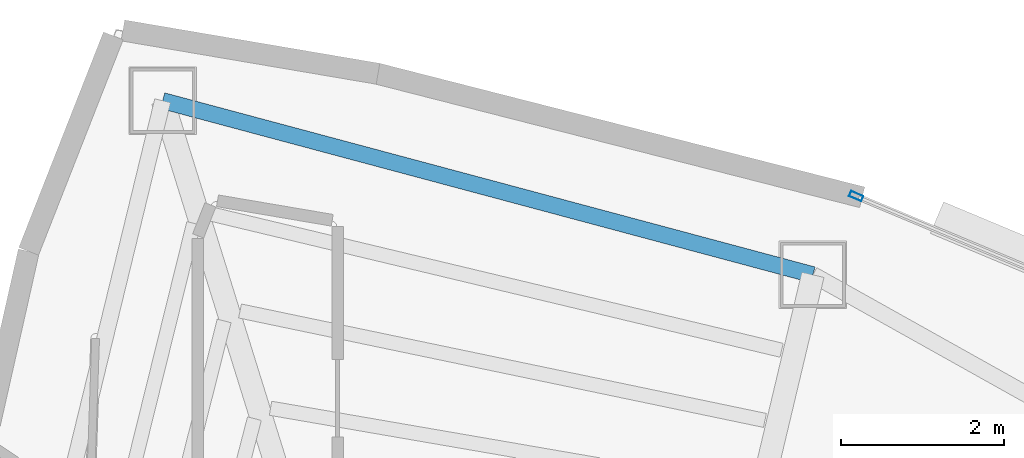
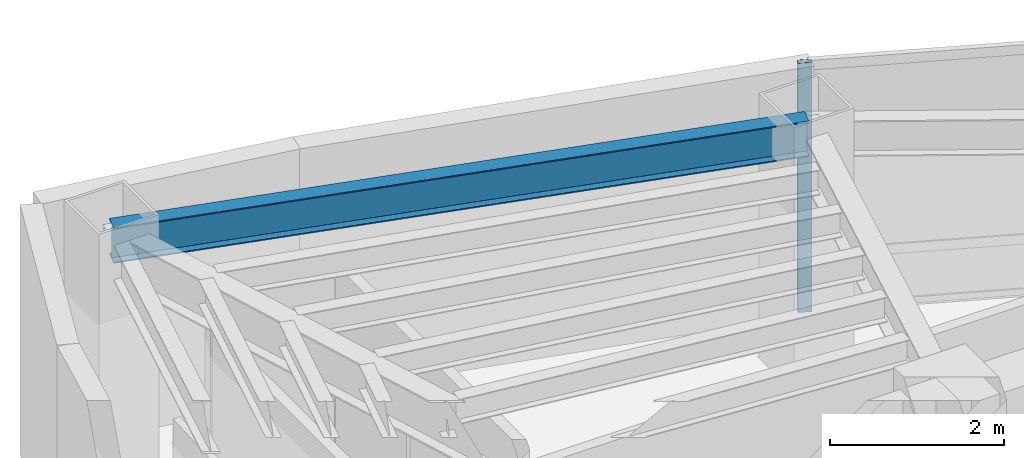
# One storey, part 9 of 16: 1 beam, 1 member, 1 element without a shape of its own.
"""IFC4 building model written with IfcOpenShell, lengths in metres."""

import ifcopenshell
import ifcopenshell.guid

model = None  # the IFC model being written
_history = None  # IfcOwnerHistory: only IFC2X3 demands one
_inside = {}  # id of a spatial element -> (the spatial element, [elements in it])
_under = {}  # id of a project, library or spatial element -> (it, [spatial elements below it])
_declared = {}  # id of a project -> (the project, [libraries it declares])
_typed = {}  # id of a type object -> (the type object, [elements of that type])
_made_of = {}  # id of a material, layer set ... -> (it, [elements and type objects made of it])


def new_model(schema):
    """Start an empty IFC model of exactly this schema.

    Asked for "IFC4X3", IfcOpenShell would pick the latest addendum, in which some entities
    have other attributes; the version numbers below select the first issue.
    IFC2X3 requires an IfcOwnerHistory on every rooted entity: one is made here for all.
    """
    global model, _history
    if schema == "IFC4X3":
        model = ifcopenshell.file(schema_version=(4, 3, 0, 0))
    else:
        model = ifcopenshell.file(schema=schema)
    _inside.clear()
    _under.clear()
    _declared.clear()
    _typed.clear()
    _made_of.clear()
    _history = None
    if model.schema == "IFC2X3":
        org = make("IfcOrganization", Name="unknown")
        user = make(
            "IfcPersonAndOrganization",
            ThePerson=make("IfcPerson", FamilyName="unknown"),
            TheOrganization=org,
        )
        app = make(
            "IfcApplication",
            ApplicationDeveloper=org,
            Version="unknown",
            ApplicationFullName="unknown",
            ApplicationIdentifier="unknown",
        )
        _history = make(
            "IfcOwnerHistory",
            OwningUser=user,
            OwningApplication=app,
            ChangeAction="ADDED",
            CreationDate=0,
        )
    return model


def make(cls, **values):
    """One entity of the class cls with the attributes given. An attribute that is None is left unset."""
    return model.create_entity(
        cls, **{name: value for name, value in values.items() if value is not None}
    )


def rooted(cls, **values):
    """An entity with a GlobalId (a new one), such as an element, a storey or a relation."""
    return make(cls, GlobalId=ifcopenshell.guid.new(), OwnerHistory=_history, **values)


def si_unit(unit_type, name, prefix=None):
    """IfcSIUnit, for example si_unit("LENGTHUNIT", "METRE", prefix="MILLI")."""
    return make("IfcSIUnit", UnitType=unit_type, Prefix=prefix, Name=name)


def assignment(units):
    """IfcUnitAssignment: the units of a project."""
    return None if units is None else make("IfcUnitAssignment", Units=units)


def point(xyz):
    """IfcCartesianPoint."""
    return None if xyz is None else make("IfcCartesianPoint", Coordinates=xyz)


def direction(xyz):
    """IfcDirection."""
    return None if xyz is None else make("IfcDirection", DirectionRatios=xyz)


def frame(location, z_axis=None, x_axis=None):
    """IfcAxis2Placement3D, a coordinate frame: its origin and axes. An axis left out is left unset."""
    return make(
        "IfcAxis2Placement3D",
        Location=point(location),
        Axis=direction(z_axis),
        RefDirection=direction(x_axis),
    )


def frame_2d(location, x_axis=None):
    """IfcAxis2Placement2D, a coordinate frame in the plane: its origin and x axis."""
    return make(
        "IfcAxis2Placement2D", Location=point(location), RefDirection=direction(x_axis)
    )


def origin():
    """The frame at (0, 0, 0) with its axes left unset."""
    return frame((0.0, 0.0, 0.0))


def origin_2d():
    """The frame at (0, 0) in the plane with its x axis left unset."""
    return frame_2d((0.0, 0.0))


def place(relative_to, where):
    """IfcLocalPlacement: puts the frame where relative to a parent placement (None: the world)."""
    return make(
        "IfcLocalPlacement", PlacementRelTo=relative_to, RelativePlacement=where
    )


def context(
    kind, dimensions, precision=None, world=None, true_north=None, identifier=None
):
    """IfcGeometricRepresentationContext, for example the 3D "Model" context."""
    return make(
        "IfcGeometricRepresentationContext",
        ContextIdentifier=identifier,
        ContextType=kind,
        CoordinateSpaceDimension=dimensions,
        Precision=precision,
        WorldCoordinateSystem=world,
        TrueNorth=true_north,
    )


def subcontext(parent, identifier, kind, view, scale=None):
    """IfcGeometricRepresentationSubContext, for example "Body" below "Model"."""
    return make(
        "IfcGeometricRepresentationSubContext",
        ContextIdentifier=identifier,
        ContextType=kind,
        ParentContext=parent,
        TargetScale=scale,
        TargetView=view,
    )


def project(units=None, contexts=None):
    """IfcProject with its units and contexts."""
    return rooted(
        "IfcProject",
        Name="project",
        RepresentationContexts=contexts,
        UnitsInContext=assignment(units),
    )


def spatial(cls, under=None, at=None, **own):
    """A site, building, storey or space (cls), placed at a placement, below another one or the project."""
    s = rooted(cls, ObjectPlacement=at, **own)
    if under is not None:
        _under.setdefault(under.id(), (under, []))[1].append(s)
    return s


def profile(cls, at=None, kind="AREA", **sizes):
    """A parametric profile (cls). Its sizes go by their IFC names, for example OverallWidth=200.0."""
    return make(cls, ProfileType=kind, Position=at, **sizes)


def hollow_rectangle(**sizes):
    """IfcRectangleHollowProfileDef."""
    return profile("IfcRectangleHollowProfileDef", **sizes)


def i_section(**sizes):
    """IfcIShapeProfileDef."""
    return profile("IfcIShapeProfileDef", **sizes)


def extrude(swept, where, along, depth):
    """IfcExtrudedAreaSolid: the profile swept, set in the frame where, extruded along a direction by depth."""
    return make(
        "IfcExtrudedAreaSolid",
        SweptArea=swept,
        Position=where,
        ExtrudedDirection=direction(along),
        Depth=depth,
    )


def shape(context_of_items, identifier, shape_type, items):
    """IfcShapeRepresentation: the items that make up one representation, for example the "Body"."""
    return make(
        "IfcShapeRepresentation",
        ContextOfItems=context_of_items,
        RepresentationIdentifier=identifier,
        RepresentationType=shape_type,
        Items=items,
    )


def material(Name=None, Category=None):
    """IfcMaterial."""
    return make("IfcMaterial", Name=Name, Category=Category)


def layer(
    of_material, thickness, ventilated=None, Name=None, Category=None, Priority=None
):
    """IfcMaterialLayer: one layer of a wall or slab, of a material (None: an air gap)."""
    return make(
        "IfcMaterialLayer",
        Material=of_material,
        LayerThickness=thickness,
        IsVentilated=ventilated,
        Name=Name,
        Category=Category,
        Priority=Priority,
    )


def layer_set(layers, Name=None):
    """IfcMaterialLayerSet."""
    return make("IfcMaterialLayerSet", MaterialLayers=layers, LayerSetName=Name)


def material_profile(
    of_material, cross_section, Name=None, Category=None, Priority=None
):
    """IfcMaterialProfile: a cross section and its material."""
    return make(
        "IfcMaterialProfile",
        Name=Name,
        Material=of_material,
        Profile=cross_section,
        Priority=Priority,
        Category=Category,
    )


def profile_set(profiles, Name=None, composite=None):
    """IfcMaterialProfileSet."""
    return make(
        "IfcMaterialProfileSet",
        Name=Name,
        MaterialProfiles=profiles,
        CompositeProfile=composite,
    )


def made_of(thing, what):
    """Note that an element or type object is made of a material, layer set ...; save() writes the relation."""
    if what is not None:
        _made_of.setdefault(what.id(), (what, []))[1].append(thing)
    return thing


def type_object(cls, material=None, **own):
    """A type object (cls), such as IfcWallType, which elements share."""
    return made_of(rooted(cls, **own), material)


def element(
    cls,
    number,
    at=None,
    inside=None,
    cuts=None,
    type_object=None,
    material=None,
    context=None,
    identifier="Body",
    shape_type=None,
    held_by="IfcProductDefinitionShape",
    body=None,
    shapes=None,
    **own,
):
    """One element of the class cls, such as IfcWall. Its Tag is "e" and its number.

    at: its placement. inside: the storey or other place that contains it. cuts: it is an
    opening in that element (IfcRelVoidsElement). A single representation is given by context,
    identifier, shape_type and body (its items); several are given by shapes. held_by: the class
    of the entity that holds the representations. save() writes the other relations.
    """
    e = rooted(cls, Tag="e%d" % number, ObjectPlacement=at, **own)
    if body is not None:
        shapes = [shape(context, identifier, shape_type, body)]
    if shapes is not None:
        e.Representation = make(held_by, Representations=shapes)
    if inside is not None:
        _inside.setdefault(inside.id(), (inside, []))[1].append(e)
    if cuts is not None:
        rooted(
            "IfcRelVoidsElement", RelatingBuildingElement=cuts, RelatedOpeningElement=e
        )
    if type_object is not None:
        _typed.setdefault(type_object.id(), (type_object, []))[1].append(e)
    return made_of(e, material)


def aggregate(whole, parts):
    """IfcRelAggregates: a whole, such as a stair, and the parts it consists of."""
    return rooted("IfcRelAggregates", RelatingObject=whole, RelatedObjects=parts)


def save(model, path):
    """Write the relations noted so far, then the file.

    IfcRelAggregates (storeys below a building ...), IfcRelContainedInSpatialStructure (elements
    in a storey), IfcRelDefinesByType, IfcRelAssociatesMaterial and IfcRelDeclares: one each for
    every whole, place, type object, material and project.
    """
    for whole, parts in _under.values():
        aggregate(whole, parts)
    for where, things in _inside.values():
        rooted(
            "IfcRelContainedInSpatialStructure",
            RelatedElements=things,
            RelatingStructure=where,
        )
    for kind, things in _typed.values():
        rooted("IfcRelDefinesByType", RelatedObjects=things, RelatingType=kind)
    for what, things in _made_of.values():
        rooted("IfcRelAssociatesMaterial", RelatedObjects=things, RelatingMaterial=what)
    for by, libraries in _declared.values():
        rooted("IfcRelDeclares", RelatingContext=by, RelatedDefinitions=libraries)
    model.write(path)


model = new_model("IFC4")

# Units and contexts
model_context = context("Model", 3, precision=1e-05, world=origin(), true_north=direction((0.0, 1.0)))
body_context = subcontext(model_context, "Body", "Model", "MODEL_VIEW")
ifc_project = project(units=[si_unit("LENGTHUNIT", "METRE"), si_unit("AREAUNIT", "SQUARE_METRE"), si_unit("VOLUMEUNIT", "CUBIC_METRE"), si_unit("PLANEANGLEUNIT", "RADIAN"), si_unit("MASSUNIT", "GRAM", prefix="KILO")], contexts=[model_context])

# Site, building, storey
site_placement = place(None, origin())
site = spatial("IfcSite", under=ifc_project, at=site_placement, CompositionType="ELEMENT")
building_placement = place(site_placement, origin())
building = spatial("IfcBuilding", under=site, at=building_placement, Name="Menara Vayukalpa", CompositionType="ELEMENT")
storey_placement = place(building_placement, frame((0.0, 0.0, 276.89990234375)))
storey = spatial("IfcBuildingStorey", under=building, at=storey_placement, Name="L70", CompositionType="ELEMENT", Elevation=276.89990234375)

# Beam
ifc_material_1 = material(Name="Steel S355", Category="steel")
ifc_material_profile_1 = material_profile(ifc_material_1, i_section(OverallWidth=0.199951171875, OverallDepth=0.5, WebThickness=0.010009765625, FlangeThickness=0.01611328125, at=origin_2d()), Name="WF 500x200x10x16")
ifc_profile_set_1 = profile_set([ifc_material_profile_1], Name="Steel S355")
beam_type = type_object("IfcBeamType", Name="BM-SP3", PredefinedType="SPANDREL", material=ifc_profile_set_1)
beam_placement = place(storey_placement, frame((23.3818359375, 32.40478515625, 3.25), z_axis=(-0.965978332552, 0.258623009494, 0.0), x_axis=(-0.258623009494, -0.965978332552, 0.0)))
element("IfcBeam", 1, at=beam_placement, inside=storey, type_object=beam_type, Name="L70 Perimeter Spandrel Beam SP03", PredefinedType="SPANDREL", context=body_context, shape_type="SweptSolid", body=[
    extrude(i_section(OverallWidth=0.199951171875, OverallDepth=0.5, WebThickness=0.010009765625, FlangeThickness=0.01611328125, at=origin_2d()), origin(), (0.0, 0.0, 1.0), 8.274169921875),
])

# Curtain wall, member
ifc_material_2 = material(Name="Anodised Terracotta Aluminium Alloy 6063-T6", Category="masonry")
ifc_layer = layer(ifc_material_2, 0.1650390625)
ifc_layer_set = layer_set([ifc_layer], Name="Anodised Terracotta Aluminium Alloy 6063-T6")
curtain_wall_type = type_object("IfcCurtainWallType", Name="CW-CW6", PredefinedType="USERDEFINED", material=ifc_layer_set)
curtain_wall_placement = place(storey_placement, origin())
curtain_wall = element("IfcCurtainWall", 2, at=curtain_wall_placement, inside=storey, type_object=curtain_wall_type, Name="L70 Observation and Executive Curtain Wall CW6 05", ObjectType="UNITISED", PredefinedType="USERDEFINED")
ifc_material_3 = material(Name="Anodised Terracotta Aluminium Alloy 6063-T6", Category="masonry")
ifc_material_profile_2 = material_profile(ifc_material_3, hollow_rectangle(XDim=0.070068359375, YDim=0.1650390625, WallThickness=0.00390625, at=origin_2d()), Name="ALU 70x165x4")
ifc_profile_set_2 = profile_set([ifc_material_profile_2], Name="Anodised Terracotta Aluminium Alloy 6063-T6")
member_type = type_object("IfcMemberType", Name="CWM-CW6", PredefinedType="MULLION", material=ifc_profile_set_2)
member_placement = place(storey_placement, frame((23.913330078125, 33.37158203125, 0.0), z_axis=(0.0, 0.0, 1.0), x_axis=(-0.385899911703, -0.922540653927, 0.0)))
member = element("IfcMember", 3, at=member_placement, type_object=member_type, Name="CW6 mullion 3", PredefinedType="MULLION", context=body_context, shape_type="SweptSolid", body=[
    extrude(hollow_rectangle(XDim=0.070068359375, YDim=0.1650390625, WallThickness=0.00390625, at=origin_2d()), origin(), (0.0, 0.0, 1.0), 3.5),
])
aggregate(curtain_wall, [member])

save(model, "model.ifc")
